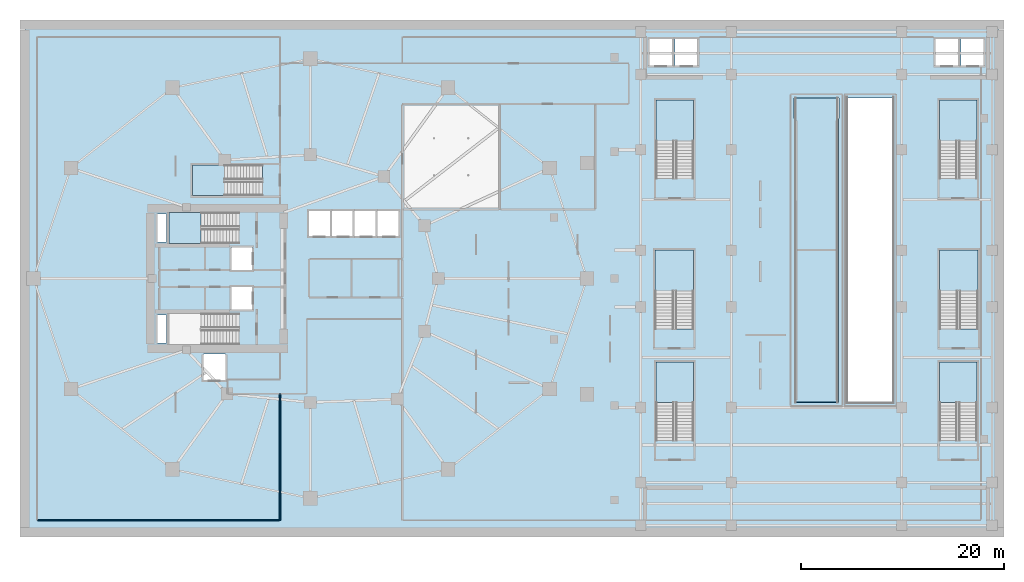
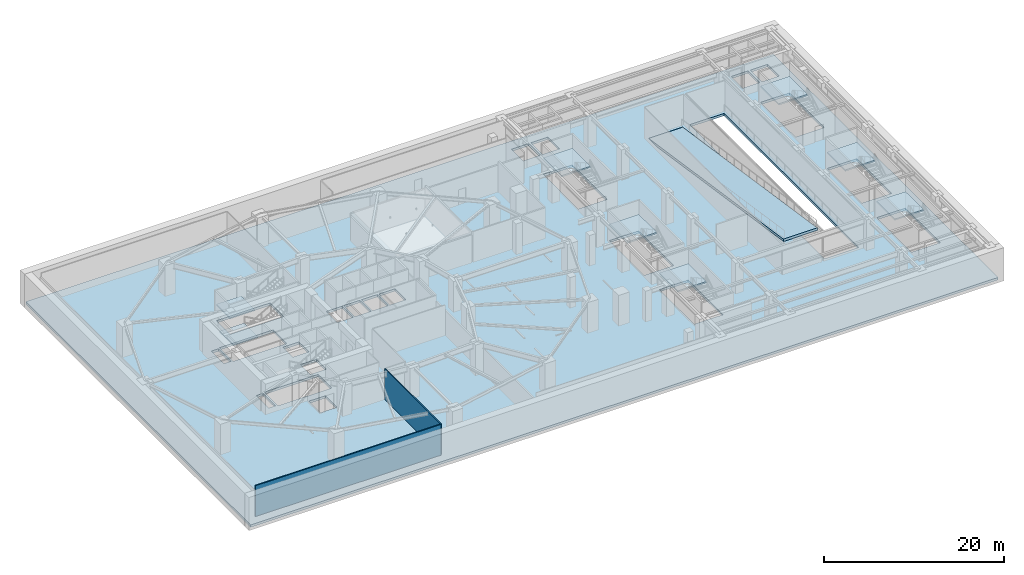
# One storey, part 3 of 16: 10 slabs, 2 walls, 8 elements without a shape of their own.
"""IFC4 building model written with IfcOpenShell, lengths in metres."""

from ifc_helpers import new_model, si_unit, direction, frame, frame_2d, origin, place, context, subcontext, project, spatial, polyline, rectangle, outline, extrude, material, layer, layer_set, type_object, element, aggregate, save


model = new_model("IFC4")

# Units and contexts
model_context = context("Model", 3, precision=1e-05, world=origin(), true_north=direction((0.0, 1.0)))
body_context = subcontext(model_context, "Body", "Model", "MODEL_VIEW")
ifc_project = project(units=[si_unit("LENGTHUNIT", "METRE"), si_unit("AREAUNIT", "SQUARE_METRE"), si_unit("VOLUMEUNIT", "CUBIC_METRE"), si_unit("PLANEANGLEUNIT", "RADIAN"), si_unit("MASSUNIT", "GRAM", prefix="KILO")], contexts=[model_context])

# Site, building, storey
site_placement = place(None, origin())
site = spatial("IfcSite", under=ifc_project, at=site_placement, CompositionType="ELEMENT")
building_placement = place(site_placement, origin())
building = spatial("IfcBuilding", under=site, at=building_placement, Name="Kolvaren Gate Tower and Convention Centre", CompositionType="ELEMENT")
storey_placement = place(building_placement, frame((0.0, 0.0, -9.0)))
storey = spatial("IfcBuildingStorey", under=building, at=storey_placement, Name="B2", CompositionType="ELEMENT", Elevation=-9.0)

# Slab
ifc_material_1 = material(Name="Concrete C50/60", Category="concrete")
ifc_layer_1 = layer(ifc_material_1, 0.320068359375)
ifc_layer_set_1 = layer_set([ifc_layer_1], Name="Concrete C50/60")
slab_type_1 = type_object("IfcSlabType", Name="STR-SL-FLR-320", PredefinedType="FLOOR", material=ifc_layer_set_1)
slab_1_placement = place(storey_placement, frame((0.0, 0.0, -0.320068359375)))
element("IfcSlab", 1, at=slab_1_placement, inside=storey, type_object=slab_type_1, Name="Basement B2 Structural Slab", PredefinedType="FLOOR", context=body_context, shape_type="SweptSolid", body=[
    extrude(outline(polyline([(2.0, 2.0), (98.0, 2.0), (98.0, 52.0), (2.0, 52.0), (2.0, 2.0)]), holes=[polyline([(94.25, 50.60009765625), (96.449951171875, 50.60009765625), (96.449951171875, 48.0), (94.25, 48.0), (94.25, 50.60009765625)]), polyline([(95.89990234375, 22.050048828125), (92.10009765625, 22.050048828125), (92.10009765625, 29.800048828125), (95.89990234375, 29.800048828125), (95.89990234375, 22.050048828125)]), polyline([(95.800048828125, 36.85009765625), (92.10009765625, 36.85009765625), (92.10009765625, 44.60009765625), (95.800048828125, 44.60009765625), (95.800048828125, 36.85009765625)]), polyline([(92.10009765625, 11.050048828125), (92.10009765625, 18.800048828125), (95.800048828125, 18.800048828125), (95.800048828125, 11.050048828125), (92.10009765625, 11.050048828125)]), polyline([(91.75, 50.60009765625), (93.949951171875, 50.60009765625), (93.949951171875, 48.0), (91.75, 48.0), (91.75, 50.60009765625)]), polyline([(83.10009765625, 44.800048828125), (87.5, 44.800048828125), (87.5, 14.800048828125), (83.10009765625, 14.800048828125), (83.10009765625, 44.800048828125)]), polyline([(77.800048828125, 44.800048828125), (82.199951171875, 44.800048828125), (82.199951171875, 42.780029296875), (77.800048828125, 42.780029296875), (77.800048828125, 44.800048828125)]), polyline([(66.050048828125, 48.0), (66.050048828125, 50.60009765625), (68.25, 50.60009765625), (68.25, 48.0), (66.050048828125, 48.0)]), polyline([(67.89990234375, 11.050048828125), (64.199951171875, 11.050048828125), (64.199951171875, 18.800048828125), (67.89990234375, 18.800048828125), (67.89990234375, 11.050048828125)]), polyline([(64.199951171875, 36.85009765625), (64.199951171875, 44.60009765625), (67.89990234375, 44.60009765625), (67.89990234375, 36.85009765625), (64.199951171875, 36.85009765625)]), polyline([(64.10009765625, 22.050048828125), (64.10009765625, 29.800048828125), (67.89990234375, 29.800048828125), (67.89990234375, 22.050048828125), (64.10009765625, 22.050048828125)]), polyline([(63.550048828125, 50.60009765625), (65.75, 50.60009765625), (65.75, 48.0), (63.550048828125, 48.0), (63.550048828125, 50.60009765625)]), polyline([(36.75, 33.64990234375), (38.800048828125, 33.64990234375), (38.800048828125, 31.199951171875), (36.75, 31.199951171875), (36.75, 33.64990234375)]), polyline([(34.5, 31.199951171875), (34.5, 33.64990234375), (36.550048828125, 33.64990234375), (36.550048828125, 31.199951171875), (34.5, 31.199951171875)]), polyline([(32.25, 33.64990234375), (34.300048828125, 33.64990234375), (34.300048828125, 31.199951171875), (32.25, 31.199951171875), (32.25, 33.64990234375)]), polyline([(30.0, 33.64990234375), (32.050048828125, 33.64990234375), (32.050048828125, 31.199951171875), (30.0, 31.199951171875), (30.0, 33.64990234375)]), polyline([(25.39990234375, 35.159912109375), (18.5, 35.159912109375), (18.5, 38.199951171875), (25.39990234375, 38.199951171875), (25.39990234375, 35.159912109375)]), polyline([(22.35009765625, 30.0400390625), (24.39990234375, 30.0400390625), (24.39990234375, 27.840087890625), (22.35009765625, 27.840087890625), (22.35009765625, 30.0400390625)]), polyline([(22.35009765625, 23.9599609375), (22.35009765625, 26.159912109375), (24.39990234375, 26.159912109375), (24.39990234375, 23.9599609375), (22.35009765625, 23.9599609375)]), polyline([(23.10009765625, 33.5), (23.10009765625, 30.4599609375), (16.199951171875, 30.4599609375), (16.199951171875, 33.5), (23.10009765625, 33.5)]), polyline([(23.10009765625, 20.5), (16.199951171875, 20.5), (16.199951171875, 23.5400390625), (23.10009765625, 23.5400390625), (23.10009765625, 20.5)]), polyline([(19.60009765625, 17.0), (19.60009765625, 19.550048828125), (21.75, 19.550048828125), (21.75, 17.0), (19.60009765625, 17.0)]), polyline([(15.080078125, 23.419921875), (15.969970703125, 23.419921875), (15.969970703125, 20.6298828125), (15.080078125, 20.6298828125), (15.080078125, 23.419921875)]), polyline([(15.080078125, 33.3701171875), (15.969970703125, 33.3701171875), (15.969970703125, 30.580078125), (15.080078125, 30.580078125), (15.080078125, 33.3701171875)])]), origin(), (0.0, 0.0, 1.0), 0.320068359375),
])

# Stair, slab
stair_type_1 = type_object("IfcStairType", Name="STR-STAIR-CORE", PredefinedType="HALF_TURN_STAIR", material=ifc_material_1)
stair_1_placement = place(storey_placement, origin())
stair_1 = element("IfcStair", 2, at=stair_1_placement, inside=storey, type_object=stair_type_1, Name="B2 Tower North Exit Stair ST-T1", PredefinedType="HALF_TURN_STAIR")
ifc_layer_2 = layer(ifc_material_1, 0.199951171875)
ifc_layer_set_2 = layer_set([ifc_layer_2], Name="Concrete C50/60")
slab_type_2 = type_object("IfcSlabType", Name="STR-SL-LAND-200", PredefinedType="LANDING", material=ifc_layer_set_2)
slab_2_placement = place(storey_placement, frame((0.0, 0.0, 2.050048828125)))
slab_2 = element("IfcSlab", 3, at=slab_2_placement, type_object=slab_type_2, Name="ST-T1 landing 1", PredefinedType="LANDING", context=body_context, shape_type="SweptSolid", body=[
    extrude(outline(polyline([(19.3798828125, 33.5), (16.199951171875, 33.5), (16.199951171875, 30.4599609375), (19.3798828125, 30.4599609375), (19.3798828125, 33.5)])), origin(), (0.0, 0.0, 1.0), 0.199951171875),
])
aggregate(stair_1, [slab_2])

stair_2_placement = place(storey_placement, origin())
stair_2 = element("IfcStair", 4, at=stair_2_placement, inside=storey, type_object=stair_type_1, Name="B2 Tower Mid-Zone Exit Stair ST-T3", PredefinedType="HALF_TURN_STAIR")
slab_3_placement = place(storey_placement, frame((0.0, 0.0, 2.050048828125)))
slab_3 = element("IfcSlab", 5, at=slab_3_placement, type_object=slab_type_2, Name="ST-T3 landing 1", PredefinedType="LANDING", context=body_context, shape_type="SweptSolid", body=[
    extrude(outline(polyline([(21.679931640625, 38.199951171875), (18.5, 38.199951171875), (18.5, 35.159912109375), (21.679931640625, 35.159912109375), (21.679931640625, 38.199951171875)])), origin(), (0.0, 0.0, 1.0), 0.199951171875),
])
aggregate(stair_2, [slab_3])

stair_type_2 = type_object("IfcStairType", Name="STR-STAIR-CONV", PredefinedType="HALF_TURN_STAIR", material=ifc_material_1)
stair_3_placement = place(storey_placement, origin())
stair_3 = element("IfcStair", 6, at=stair_3_placement, inside=storey, type_object=stair_type_2, Name="B2 Convention NW Exit Stair ST-C1", PredefinedType="HALF_TURN_STAIR")
slab_4_placement = place(storey_placement, frame((0.0, 0.0, 2.050048828125)))
slab_4 = element("IfcSlab", 7, at=slab_4_placement, type_object=slab_type_2, Name="ST-C1 landing 1", PredefinedType="LANDING", context=body_context, shape_type="SweptSolid", body=[
    extrude(outline(polyline([(67.89990234375, 40.570068359375), (67.89990234375, 44.60009765625), (64.199951171875, 44.60009765625), (64.199951171875, 40.570068359375), (67.89990234375, 40.570068359375)])), origin(), (0.0, 0.0, 1.0), 0.199951171875),
])
aggregate(stair_3, [slab_4])

stair_4_placement = place(storey_placement, origin())
stair_4 = element("IfcStair", 8, at=stair_4_placement, inside=storey, type_object=stair_type_2, Name="B2 Convention SW Exit Stair ST-C2", PredefinedType="HALF_TURN_STAIR")
slab_5_placement = place(storey_placement, frame((0.0, 0.0, 2.050048828125)))
slab_5 = element("IfcSlab", 9, at=slab_5_placement, type_object=slab_type_2, Name="ST-C2 landing 1", PredefinedType="LANDING", context=body_context, shape_type="SweptSolid", body=[
    extrude(outline(polyline([(67.89990234375, 14.77001953125), (67.89990234375, 18.800048828125), (64.199951171875, 18.800048828125), (64.199951171875, 14.77001953125), (67.89990234375, 14.77001953125)])), origin(), (0.0, 0.0, 1.0), 0.199951171875),
])
aggregate(stair_4, [slab_5])

stair_5_placement = place(storey_placement, origin())
stair_5 = element("IfcStair", 10, at=stair_5_placement, inside=storey, type_object=stair_type_2, Name="B2 Convention NE Exit Stair ST-C3", PredefinedType="HALF_TURN_STAIR")
slab_6_placement = place(storey_placement, frame((0.0, 0.0, 2.050048828125)))
slab_6 = element("IfcSlab", 11, at=slab_6_placement, type_object=slab_type_2, Name="ST-C3 landing 1", PredefinedType="LANDING", context=body_context, shape_type="SweptSolid", body=[
    extrude(outline(polyline([(95.800048828125, 40.570068359375), (95.800048828125, 44.60009765625), (92.10009765625, 44.60009765625), (92.10009765625, 40.570068359375), (95.800048828125, 40.570068359375)])), origin(), (0.0, 0.0, 1.0), 0.199951171875),
])
aggregate(stair_5, [slab_6])

stair_6_placement = place(storey_placement, origin())
stair_6 = element("IfcStair", 12, at=stair_6_placement, inside=storey, type_object=stair_type_2, Name="B2 Convention SE Exit Stair ST-C4", PredefinedType="HALF_TURN_STAIR")
slab_7_placement = place(storey_placement, frame((0.0, 0.0, 2.050048828125)))
slab_7 = element("IfcSlab", 13, at=slab_7_placement, type_object=slab_type_2, Name="ST-C4 landing 1", PredefinedType="LANDING", context=body_context, shape_type="SweptSolid", body=[
    extrude(outline(polyline([(95.800048828125, 14.77001953125), (95.800048828125, 18.800048828125), (92.10009765625, 18.800048828125), (92.10009765625, 14.77001953125), (95.800048828125, 14.77001953125)])), origin(), (0.0, 0.0, 1.0), 0.199951171875),
])
aggregate(stair_6, [slab_7])

stair_7_placement = place(storey_placement, origin())
stair_7 = element("IfcStair", 14, at=stair_7_placement, inside=storey, type_object=stair_type_2, Name="B2 Convention West Assembly Stair ST-C5", PredefinedType="HALF_TURN_STAIR")
slab_8_placement = place(storey_placement, frame((0.0, 0.0, 2.050048828125)))
slab_8 = element("IfcSlab", 15, at=slab_8_placement, type_object=slab_type_2, Name="ST-C5 landing 1", PredefinedType="LANDING", context=body_context, shape_type="SweptSolid", body=[
    extrude(outline(polyline([(67.89990234375, 25.77001953125), (67.89990234375, 29.800048828125), (64.10009765625, 29.800048828125), (64.10009765625, 25.77001953125), (67.89990234375, 25.77001953125)])), origin(), (0.0, 0.0, 1.0), 0.199951171875),
])
aggregate(stair_7, [slab_8])

stair_8_placement = place(storey_placement, origin())
stair_8 = element("IfcStair", 16, at=stair_8_placement, inside=storey, type_object=stair_type_2, Name="B2 Convention East Assembly Stair ST-C6", PredefinedType="HALF_TURN_STAIR")
slab_9_placement = place(storey_placement, frame((0.0, 0.0, 2.050048828125)))
slab_9 = element("IfcSlab", 17, at=slab_9_placement, type_object=slab_type_2, Name="ST-C6 landing 1", PredefinedType="LANDING", context=body_context, shape_type="SweptSolid", body=[
    extrude(outline(polyline([(95.89990234375, 25.77001953125), (95.89990234375, 29.800048828125), (92.10009765625, 29.800048828125), (92.10009765625, 25.77001953125), (95.89990234375, 25.77001953125)])), origin(), (0.0, 0.0, 1.0), 0.199951171875),
])
aggregate(stair_8, [slab_9])

# Slab
ifc_layer_3 = layer(ifc_material_1, 0.300048828125)
ifc_layer_set_3 = layer_set([ifc_layer_3], Name="Concrete C50/60")
slab_type_3 = type_object("IfcSlabType", Name="STR-SL-VRAMP-300", PredefinedType="USERDEFINED", material=ifc_layer_set_3)
slab_10_placement = place(storey_placement, frame((77.81494140625, 44.784912109375, 0.0), z_axis=(0.0, 0.14848581154, 0.988914538153), x_axis=(1.0, 0.0, 0.0)))
element("IfcSlab", 18, at=slab_10_placement, inside=storey, type_object=slab_type_3, Name="Basement B2 to B1 Car Park Vehicle Ramp Slab R2", ObjectType="VEHICLE_RAMP", PredefinedType="USERDEFINED", context=body_context, shape_type="SweptSolid", body=[
    extrude(outline(polyline([(0.0, 0.0), (4.3701171875, 0.0), (4.3701171875, -30.30592588828414), (0.0, -30.30592588828414), (0.0, 0.0)])), origin(), (0.0, 0.0, -1.0), 0.300048828125),
])

# Walls
ifc_material_2 = material(Name="Fire-Rated Acoustic Gypsum Stud Partition", Category="gypsum")
ifc_layer_4 = layer(ifc_material_2, 0.1201171875)
ifc_layer_set_4 = layer_set([ifc_layer_4], Name="Fire-Rated Acoustic Gypsum Stud Partition")
wall_type = type_object("IfcWallType", Name="ARCH-WL-PART-120", PredefinedType="PARTITIONING", material=ifc_layer_set_4)
wall_1_placement = place(storey_placement, frame((27.14990234375, 3.199951171875, 0.0), z_axis=(0.0, 0.0, 1.0), x_axis=(0.0, 1.0, 0.0)))
element("IfcWall", 19, at=wall_1_placement, inside=storey, type_object=wall_type, Name="Interior Partition WL-B2-INT-016", PredefinedType="PARTITIONING", context=body_context, shape_type="SweptSolid", body=[
    extrude(rectangle(XDim=12.449951171875, YDim=0.1201171875, at=frame_2d((6.22509765625, 0.0))), origin(), (0.0, 0.0, 1.0), 4.179931640625),
])
wall_2_placement = place(storey_placement, frame((3.261962890625, 3.199951171875, 0.0), z_axis=(0.0, 0.0, 1.0), x_axis=(1.0, 0.0, 0.0)))
element("IfcWall", 20, at=wall_2_placement, inside=storey, type_object=wall_type, Name="Interior Partition WL-B2-INT-032", PredefinedType="PARTITIONING", context=body_context, shape_type="SweptSolid", body=[
    extrude(rectangle(XDim=23.825927734375, YDim=0.1201171875, at=frame_2d((11.9130859375, 0.0))), origin(), (0.0, 0.0, 1.0), 4.179931640625),
])

save(model, "model.ifc")
